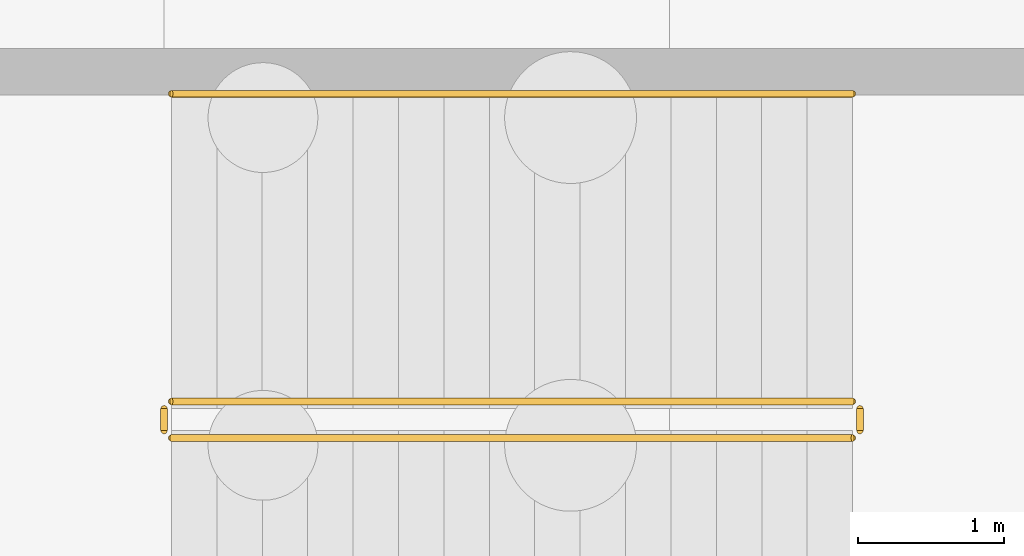
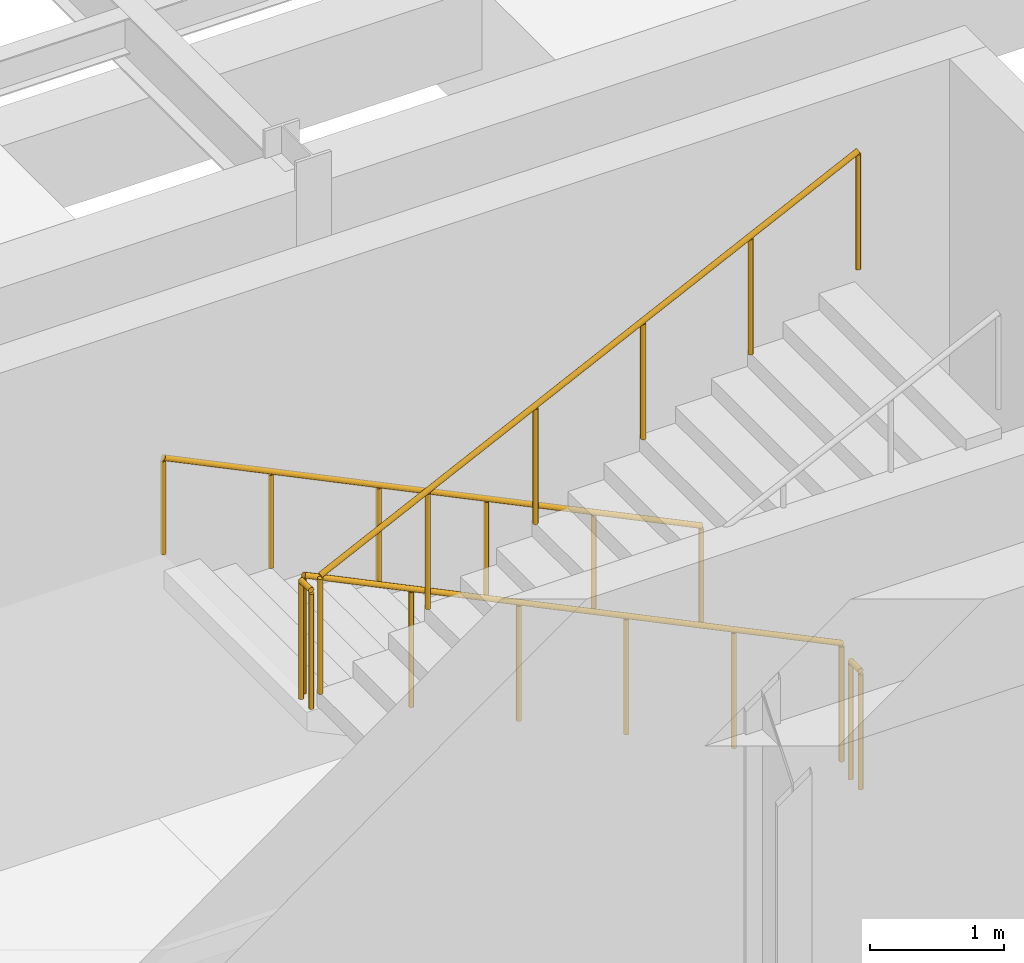
# One storey, part 55 of 64: 5 railings.
"""IFC4 building model written with IfcOpenShell, lengths in metres."""

from ifc_helpers import new_model, si_unit, direction, frame, origin, origin_2d, place, context, subcontext, project, spatial, circle, extrude, material, type_object, element, save


model = new_model("IFC4")

# Units and contexts
model_context = context("Model", 3, precision=1e-05, world=origin(), true_north=direction((0.0, 1.0)))
body_context = subcontext(model_context, "Body", "Model", "MODEL_VIEW")
ifc_project = project(units=[si_unit("LENGTHUNIT", "METRE"), si_unit("AREAUNIT", "SQUARE_METRE"), si_unit("VOLUMEUNIT", "CUBIC_METRE"), si_unit("PLANEANGLEUNIT", "RADIAN"), si_unit("MASSUNIT", "GRAM", prefix="KILO")], contexts=[model_context])

# Site, building, storey
site_placement = place(None, origin())
site = spatial("IfcSite", under=ifc_project, at=site_placement, CompositionType="ELEMENT")
building_placement = place(site_placement, origin())
building = spatial("IfcBuilding", under=site, at=building_placement, Name="Solvadek Multi-Sports Hall", CompositionType="ELEMENT")
storey_placement = place(building_placement, frame((0.0, 0.0, -4.800048828125)))
storey = spatial("IfcBuildingStorey", under=building, at=storey_placement, Name="B1", CompositionType="ELEMENT", Elevation=-4.800048828125)

# Railings
ifc_material = material(Name="Steel E250 (250 MPa)", Category="steel")
railing_type_1 = type_object("IfcRailingType", Name="INT-RAL-GRD115", PredefinedType="BALUSTRADE", material=ifc_material)
railing_1_placement = place(storey_placement, frame((17.199951171875, 81.89990234375, 0.150146484375)))
element("IfcRailing", 1, at=railing_1_placement, inside=storey, type_object=railing_type_1, Name="B1 ST-02 stair guard 1", PredefinedType="BALUSTRADE", context=body_context, shape_type="SweptSolid", body=[
    extrude(circle(Radius=0.02392578125, at=origin_2d()), frame((0.0, 0.0, 1.076171875), z_axis=(-0.900155664878, 0.0, 0.435568340204), x_axis=(0.0, -1.0, 0.0)), (0.0, 0.0, 1.0), 5.165771484375),
    extrude(circle(Radius=0.02099609375, at=origin_2d()), origin(), (0.0, 0.0, 1.0), 1.052001953125),
    extrude(circle(Radius=0.02099609375, at=origin_2d()), frame((-0.929931640625, 0.0, 0.449951171875)), (0.0, 0.0, 1.0), 1.052001953125),
    extrude(circle(Radius=0.02099609375, at=origin_2d()), frame((-1.85986328125, 0.0, 0.89990234375)), (0.0, 0.0, 1.0), 1.052001953125),
    extrude(circle(Radius=0.02099609375, at=origin_2d()), frame((-2.7900390625, 0.0, 1.35009765625)), (0.0, 0.0, 1.0), 1.052001953125),
    extrude(circle(Radius=0.02099609375, at=origin_2d()), frame((-3.719970703125, 0.0, 1.800048828125)), (0.0, 0.0, 1.0), 1.052001953125),
    extrude(circle(Radius=0.02099609375, at=origin_2d()), frame((-4.64990234375, 0.0, 2.25)), (0.0, 0.0, 1.0), 1.052001953125),
])
railing_2_placement = place(storey_placement, frame((12.5, 81.85009765625, 2.400146484375)))
element("IfcRailing", 2, at=railing_2_placement, inside=storey, type_object=railing_type_1, Name="B1 ST-02 stair guard 2", PredefinedType="BALUSTRADE", context=body_context, shape_type="SweptSolid", body=[
    extrude(circle(Radius=0.02392578125, at=origin_2d()), frame((0.0, 0.0, 1.076171875), z_axis=(0.0, -1.0, 0.0), x_axis=(1.0, 0.0, 0.0)), (0.0, 0.0, 1.0), 0.150146484375),
    extrude(circle(Radius=0.02099609375, at=origin_2d()), origin(), (0.0, 0.0, 1.0), 1.052001953125),
    extrude(circle(Radius=0.02099609375, at=origin_2d()), frame((0.0, -0.150146484375, 0.0)), (0.0, 0.0, 1.0), 1.052001953125),
])
railing_3_placement = place(storey_placement, frame((12.550048828125, 81.64990234375, 2.550048828125)))
element("IfcRailing", 3, at=railing_3_placement, inside=storey, type_object=railing_type_1, Name="B1 ST-02 stair guard 3", PredefinedType="BALUSTRADE", context=body_context, shape_type="SweptSolid", body=[
    extrude(circle(Radius=0.02392578125, at=origin_2d()), frame((0.0, 0.0, 1.076171875), z_axis=(0.900155664878, 0.0, 0.435568340204), x_axis=(0.0, 1.0, 0.0)), (0.0, 0.0, 1.0), 5.165771484375),
    extrude(circle(Radius=0.02099609375, at=origin_2d()), origin(), (0.0, 0.0, 1.0), 1.052001953125),
    extrude(circle(Radius=0.02099609375, at=origin_2d()), frame((0.929931640625, 0.0, 0.449951171875)), (0.0, 0.0, 1.0), 1.052001953125),
    extrude(circle(Radius=0.02099609375, at=origin_2d()), frame((1.85986328125, 0.0, 0.89990234375)), (0.0, 0.0, 1.0), 1.052001953125),
    extrude(circle(Radius=0.02099609375, at=origin_2d()), frame((2.7900390625, 0.0, 1.35009765625)), (0.0, 0.0, 1.0), 1.052001953125),
    extrude(circle(Radius=0.02099609375, at=origin_2d()), frame((3.719970703125, 0.0, 1.800048828125)), (0.0, 0.0, 1.0), 1.052001953125),
    extrude(circle(Radius=0.02099609375, at=origin_2d()), frame((4.64990234375, 0.0, 2.25)), (0.0, 0.0, 1.0), 1.052001953125),
])
railing_4_placement = place(storey_placement, frame((17.25, 81.85009765625, 0.0)))
element("IfcRailing", 4, at=railing_4_placement, inside=storey, type_object=railing_type_1, Name="B1 ST-02 stair guard 4", PredefinedType="BALUSTRADE", context=body_context, shape_type="SweptSolid", body=[
    extrude(circle(Radius=0.02392578125, at=origin_2d()), frame((0.0, 0.0, 1.076171875), z_axis=(0.0, -1.0, 0.0), x_axis=(1.0, 0.0, 0.0)), (0.0, 0.0, 1.0), 0.150146484375),
    extrude(circle(Radius=0.02099609375, at=origin_2d()), origin(), (0.0, 0.0, 1.0), 1.052001953125),
    extrude(circle(Radius=0.02099609375, at=origin_2d()), frame((0.0, -0.150146484375, 0.0)), (0.0, 0.0, 1.0), 1.052001953125),
])
railing_type_2 = type_object("IfcRailingType", Name="INT-RAL-HND090", PredefinedType="HANDRAIL", material=ifc_material)
railing_5_placement = place(storey_placement, frame((17.199951171875, 84.0, 0.150146484375)))
element("IfcRailing", 5, at=railing_5_placement, inside=storey, type_object=railing_type_2, Name="B1 ST-02 stair handrail 1", PredefinedType="HANDRAIL", context=body_context, shape_type="SweptSolid", body=[
    extrude(circle(Radius=0.02392578125, at=origin_2d()), frame((0.0, 0.0, 0.8759765625), z_axis=(-0.900155664878, 0.0, 0.435568340204), x_axis=(0.0, -1.0, 0.0)), (0.0, 0.0, 1.0), 5.165771484375),
    extrude(circle(Radius=0.02099609375, at=origin_2d()), origin(), (0.0, 0.0, 1.0), 0.851806640625),
    extrude(circle(Radius=0.02099609375, at=origin_2d()), frame((-0.929931640625, 0.0, 0.449951171875)), (0.0, 0.0, 1.0), 0.851806640625),
    extrude(circle(Radius=0.02099609375, at=origin_2d()), frame((-1.85986328125, 0.0, 0.89990234375)), (0.0, 0.0, 1.0), 0.851806640625),
    extrude(circle(Radius=0.02099609375, at=origin_2d()), frame((-2.7900390625, 0.0, 1.35009765625)), (0.0, 0.0, 1.0), 0.851806640625),
    extrude(circle(Radius=0.02099609375, at=origin_2d()), frame((-3.719970703125, 0.0, 1.800048828125)), (0.0, 0.0, 1.0), 0.851806640625),
    extrude(circle(Radius=0.02099609375, at=origin_2d()), frame((-4.64990234375, 0.0, 2.25)), (0.0, 0.0, 1.0), 0.851806640625),
])

save(model, "model.ifc")
